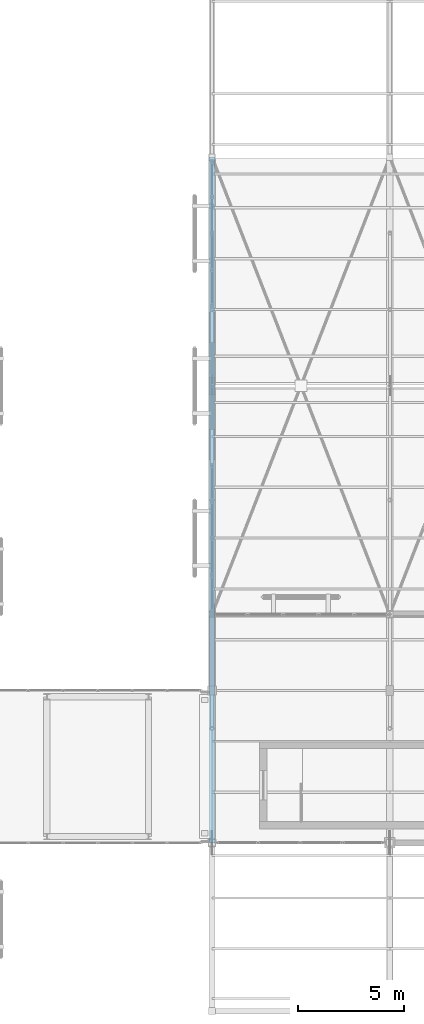
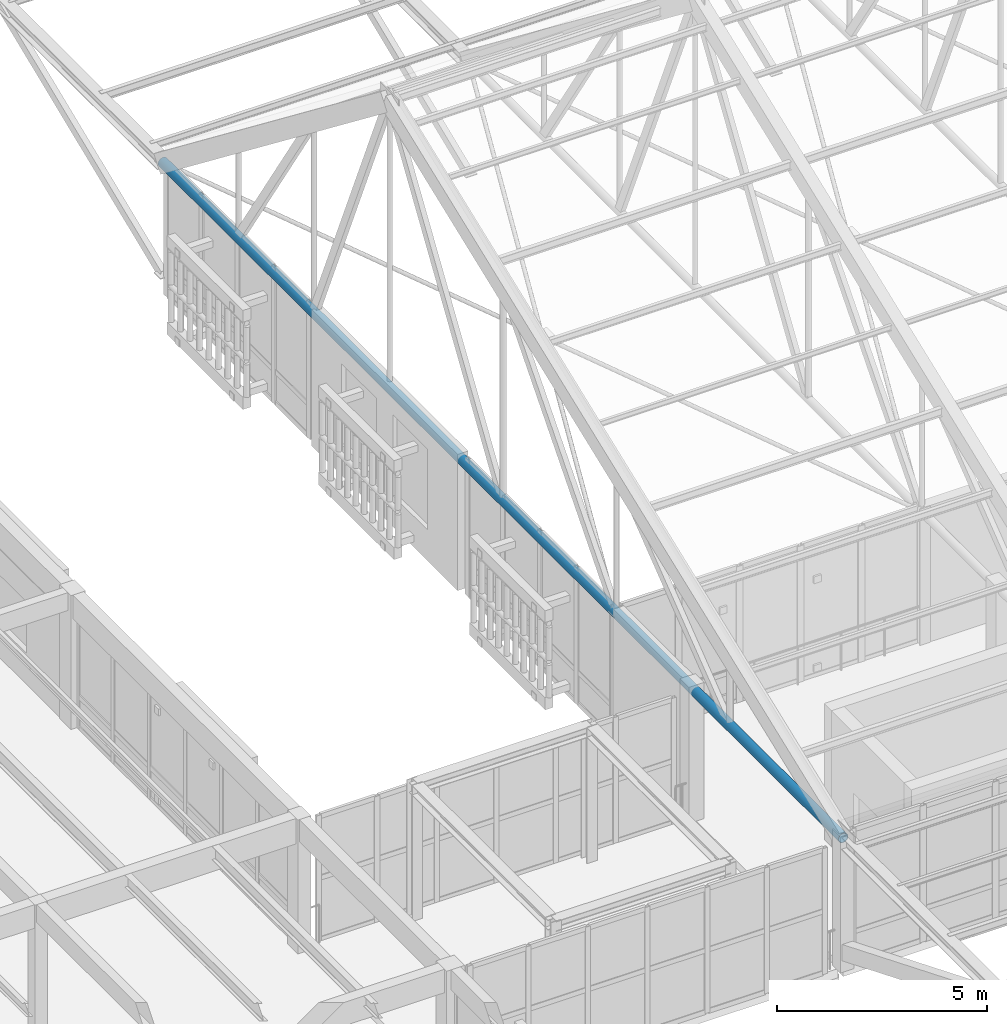
# One storey, part 72 of 217: 1 member.
"""IFC4 building model written with IfcOpenShell, lengths in metres."""

from ifc_helpers import new_model, si_unit, direction, frame, origin, origin_2d, place, context, subcontext, project, spatial, hollow_circle, extrude, material, material_profile, profile_set, type_object, element, save


model = new_model("IFC4")

# Units and contexts
model_context = context("Model", 3, precision=1e-05, world=origin(), true_north=direction((0.0, 1.0)))
body_context = subcontext(model_context, "Body", "Model", "MODEL_VIEW")
ifc_project = project(units=[si_unit("LENGTHUNIT", "METRE"), si_unit("AREAUNIT", "SQUARE_METRE"), si_unit("VOLUMEUNIT", "CUBIC_METRE"), si_unit("PLANEANGLEUNIT", "RADIAN"), si_unit("MASSUNIT", "GRAM", prefix="KILO")], contexts=[model_context])

# Site, building, storey
site_placement = place(None, origin())
site = spatial("IfcSite", under=ifc_project, at=site_placement, CompositionType="ELEMENT")
building_placement = place(site_placement, origin())
building = spatial("IfcBuilding", under=site, at=building_placement, Name="Mazaris Harbour Polytechnic", CompositionType="ELEMENT")
storey_placement = place(building_placement, frame((0.0, 0.0, 9.60009765625)))
storey = spatial("IfcBuildingStorey", under=building, at=storey_placement, Name="L02", CompositionType="ELEMENT", Elevation=9.60009765625)

# Member
ifc_material = material(Name="Steel S355", Category="steel")
ifc_material_profile = material_profile(ifc_material, hollow_circle(Radius=0.136474609375, WallThickness=0.010009765625, at=origin_2d()), Name="CHS 273.0x10.0")
ifc_profile_set = profile_set([ifc_material_profile], Name="Steel S355")
member_type = type_object("IfcMemberType", Name="Steel Tie Chord CHS273", PredefinedType="CHORD", material=ifc_profile_set)
member_placement = place(storey_placement, frame((54.0, 75.60009765625, 3.75), z_axis=(0.0, 1.0, 0.0), x_axis=(-1.0, 0.0, 0.0)))
element("IfcMember", 1, at=member_placement, inside=storey, type_object=member_type, Name="Truss 1 Continuous Tie Chord", PredefinedType="CHORD", context=body_context, shape_type="SweptSolid", body=[
    extrude(hollow_circle(Radius=0.136474609375, WallThickness=0.010009765625, at=origin_2d()), origin(), (0.0, 0.0, 1.0), 32.39990234375),
])

save(model, "model.ifc")
